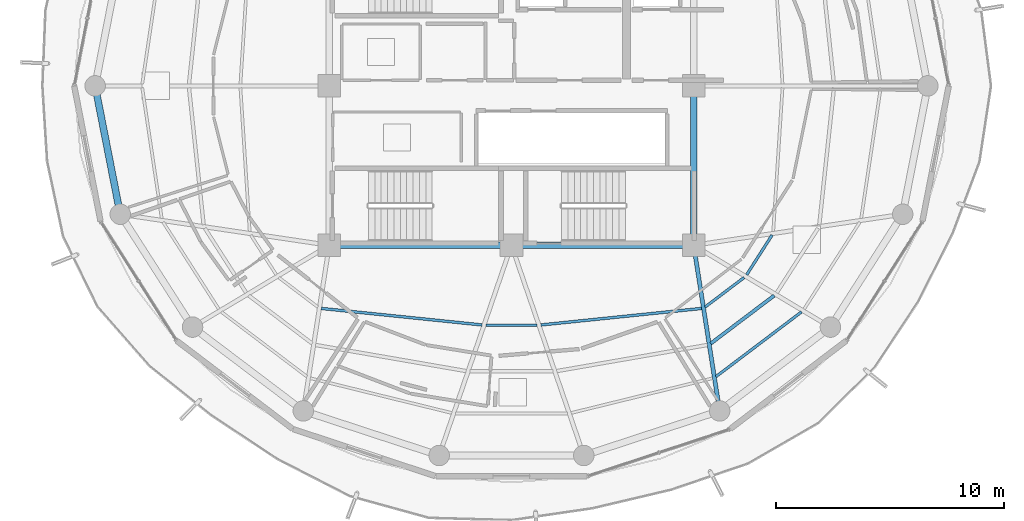
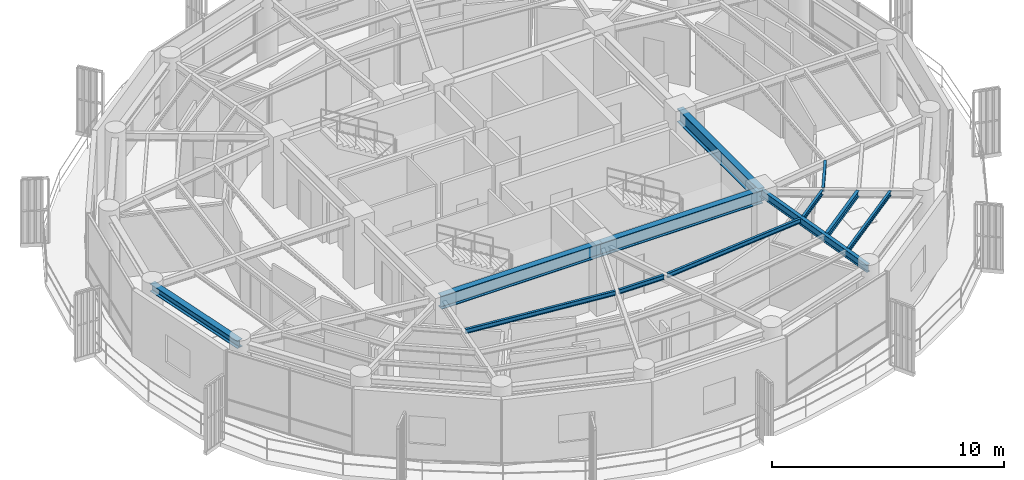
# One storey, part 5 of 23: 12 beams.
"""IFC4 building model written with IfcOpenShell, lengths in metres."""

from ifc_helpers import new_model, si_unit, direction, frame, origin, origin_2d, place, context, subcontext, project, spatial, i_section, extrude, material, material_profile, profile_set, type_object, element, save


model = new_model("IFC4")

# Units and contexts
model_context = context("Model", 3, precision=1e-05, world=origin(), true_north=direction((0.0, 1.0)))
body_context = subcontext(model_context, "Body", "Model", "MODEL_VIEW")
ifc_project = project(units=[si_unit("LENGTHUNIT", "METRE"), si_unit("AREAUNIT", "SQUARE_METRE"), si_unit("VOLUMEUNIT", "CUBIC_METRE"), si_unit("PLANEANGLEUNIT", "RADIAN"), si_unit("MASSUNIT", "GRAM", prefix="KILO")], contexts=[model_context])

# Site, building, storey
site_placement = place(None, origin())
site = spatial("IfcSite", under=ifc_project, at=site_placement, CompositionType="ELEMENT")
building_placement = place(site_placement, origin())
building = spatial("IfcBuilding", under=site, at=building_placement, Name="Kelanora Arch Commons", CompositionType="ELEMENT")
storey_placement = place(building_placement, frame((0.0, 0.0, 278.699951171875)))
storey = spatial("IfcBuildingStorey", under=building, at=storey_placement, Name="L71", CompositionType="ELEMENT", Elevation=278.699951171875)

# Beams
ifc_material = material(Name="Steel S355", Category="steel")
ifc_material_profile_1 = material_profile(ifc_material, i_section(OverallWidth=0.300048828125, OverallDepth=0.699951171875, WebThickness=0.01708984375, FlangeThickness=0.031982421875, FilletRadius=0.027099609375, at=origin_2d()), Name="HEB700")
ifc_profile_set_1 = profile_set([ifc_material_profile_1], Name="Steel S355")
beam_type_1 = type_object("IfcBeamType", Name="BM-CORE-HDR", PredefinedType="BEAM", material=ifc_profile_set_1)
for number, where, z_axis, x_axis, name in (
    (1, (66.0, 51.0, 3.14013671875), (1.0, 0.0, 0.0), (0.0, 1.0, 0.0), "Core Header Beam 01 L71"),
    (2, (74.0, 51.0, 3.14013671875), (1.0, 0.0, 0.0), (0.0, 1.0, 0.0), "Core Header Beam 02 L71"),
):
    element("IfcBeam", number, at=place(storey_placement, frame(where, z_axis=z_axis, x_axis=x_axis)), inside=storey, type_object=beam_type_1, Name=name, PredefinedType="BEAM", context=body_context, shape_type="SweptSolid", body=[
        extrude(i_section(OverallWidth=0.300048828125, OverallDepth=0.699951171875, WebThickness=0.01708984375, FlangeThickness=0.031982421875, FilletRadius=0.027099609375, at=origin_2d()), origin(), (0.0, 0.0, 1.0), 8.0),
    ])
beam_1_placement = place(storey_placement, frame((82.0, 51.0, 3.14013671875), z_axis=(0.0, 1.0, 0.0), x_axis=(-1.0, 0.0, 0.0)))
element("IfcBeam", 3, at=beam_1_placement, inside=storey, type_object=beam_type_1, Name="Core Header Beam 03 L71", PredefinedType="BEAM", context=body_context, shape_type="SweptSolid", body=[
    extrude(i_section(OverallWidth=0.300048828125, OverallDepth=0.699951171875, WebThickness=0.01708984375, FlangeThickness=0.031982421875, FilletRadius=0.027099609375, at=origin_2d()), origin(), (0.0, 0.0, 1.0), 7.0),
])
ifc_material_profile_2 = material_profile(ifc_material, i_section(OverallWidth=0.14990234375, OverallDepth=0.300048828125, WebThickness=0.007080078125, FlangeThickness=0.0107421875, FilletRadius=0.014892578125, at=origin_2d()), Name="IPE300")
ifc_profile_set_2 = profile_set([ifc_material_profile_2], Name="Steel S355")
beam_type_2 = type_object("IfcBeamType", Name="BM-JST-01", PredefinedType="JOIST", material=ifc_profile_set_2)
beam_2_placement = place(storey_placement, frame((82.751708984375, 46.68798828125, 3.340087890625), z_axis=(0.797499198801, 0.603320004568, 0.0), x_axis=(-0.603320004568, 0.797499198801, 0.0)))
element("IfcBeam", 4, at=beam_2_placement, inside=storey, type_object=beam_type_2, Name="Secondary Chord Joist BJB-30 L71", PredefinedType="JOIST", context=body_context, shape_type="SweptSolid", body=[
    extrude(i_section(OverallWidth=0.14990234375, OverallDepth=0.300048828125, WebThickness=0.007080078125, FlangeThickness=0.0107421875, FilletRadius=0.014892578125, at=origin_2d()), origin(), (0.0, 0.0, 1.0), 3.489013671875),
])
ifc_material_profile_3 = material_profile(ifc_material, i_section(OverallWidth=0.1201171875, OverallDepth=0.239990234375, WebThickness=0.006103515625, FlangeThickness=0.009765625, FilletRadius=0.014892578125, at=origin_2d()), Name="IPE240")
ifc_profile_set_3 = profile_set([ifc_material_profile_3], Name="Steel S355")
beam_type_3 = type_object("IfcBeamType", Name="BM-JST-02", PredefinedType="JOIST", material=ifc_profile_set_3)
beam_3_placement = place(storey_placement, frame((65.6513671875, 48.227783203125, 3.3701171875), z_axis=(0.994746545688, -0.102368500239, 0.0), x_axis=(0.102368500239, 0.994746545688, 0.0)))
element("IfcBeam", 5, at=beam_3_placement, inside=storey, type_object=beam_type_3, Name="Secondary Chord Joist BJA-24 L71", PredefinedType="JOIST", context=body_context, shape_type="SweptSolid", body=[
    extrude(i_section(OverallWidth=0.1201171875, OverallDepth=0.239990234375, WebThickness=0.006103515625, FlangeThickness=0.009765625, FilletRadius=0.014892578125, at=origin_2d()), origin(), (0.0, 0.0, 1.0), 7.09521484375),
])
beam_4_placement = place(storey_placement, frame((72.87890625, 47.492919921875, 3.3701171875), z_axis=(1.0, 0.0, 0.0), x_axis=(0.0, 1.0, 0.0)))
element("IfcBeam", 6, at=beam_4_placement, inside=storey, type_object=beam_type_3, Name="Secondary Chord Joist BJA-26 L71", PredefinedType="JOIST", context=body_context, shape_type="SweptSolid", body=[
    extrude(i_section(OverallWidth=0.1201171875, OverallDepth=0.239990234375, WebThickness=0.006103515625, FlangeThickness=0.009765625, FilletRadius=0.014892578125, at=origin_2d()), origin(), (0.0, 0.0, 1.0), 2.2421875),
])
beam_5_placement = place(storey_placement, frame((75.290771484375, 47.50146484375, 3.3701171875), z_axis=(0.994746545688, 0.102368500239, 0.0), x_axis=(-0.102368500239, 0.994746545688, 0.0)))
element("IfcBeam", 7, at=beam_5_placement, inside=storey, type_object=beam_type_3, Name="Secondary Chord Joist BJA-28 L71", PredefinedType="JOIST", context=body_context, shape_type="SweptSolid", body=[
    extrude(i_section(OverallWidth=0.1201171875, OverallDepth=0.239990234375, WebThickness=0.006103515625, FlangeThickness=0.009765625, FilletRadius=0.014892578125, at=origin_2d()), origin(), (0.0, 0.0, 1.0), 7.09521484375),
])
beam_6_placement = place(storey_placement, frame((82.5009765625, 48.287841796875, 3.3701171875), z_axis=(0.797509883882, 0.603305880222, 0.0), x_axis=(-0.603305880222, 0.797509883882, 0.0)))
element("IfcBeam", 8, at=beam_6_placement, inside=storey, type_object=beam_type_3, Name="Secondary Chord Joist BJA-30 L71", PredefinedType="JOIST", context=body_context, shape_type="SweptSolid", body=[
    extrude(i_section(OverallWidth=0.1201171875, OverallDepth=0.239990234375, WebThickness=0.006103515625, FlangeThickness=0.009765625, FilletRadius=0.014892578125, at=origin_2d()), origin(), (0.0, 0.0, 1.0), 2.147216796875),
])
beam_7_placement = place(storey_placement, frame((82.979736328125, 45.233642578125, 3.3701171875), z_axis=(0.79752302984, 0.60328850219, 0.0), x_axis=(-0.60328850219, 0.79752302984, 0.0)))
element("IfcBeam", 9, at=beam_7_placement, inside=storey, type_object=beam_type_3, Name="Secondary Chord Joist BJC-30 L71", PredefinedType="JOIST", context=body_context, shape_type="SweptSolid", body=[
    extrude(i_section(OverallWidth=0.1201171875, OverallDepth=0.239990234375, WebThickness=0.006103515625, FlangeThickness=0.009765625, FilletRadius=0.014892578125, at=origin_2d()), origin(), (0.0, 0.0, 1.0), 4.70849609375),
])
beam_8_placement = place(storey_placement, frame((84.3271484375, 49.706298828125, 3.3701171875), z_axis=(0.539311810315, 0.842106152011, 0.0), x_axis=(-0.842106152011, 0.539311810315, 0.0)))
element("IfcBeam", 10, at=beam_8_placement, inside=storey, type_object=beam_type_3, Name="Secondary Chord Joist BJA-32 L71", PredefinedType="JOIST", context=body_context, shape_type="SweptSolid", body=[
    extrude(i_section(OverallWidth=0.1201171875, OverallDepth=0.239990234375, WebThickness=0.006103515625, FlangeThickness=0.009765625, FilletRadius=0.014892578125, at=origin_2d()), origin(), (0.0, 0.0, 1.0), 2.06640625),
])
ifc_material_profile_4 = material_profile(ifc_material, i_section(OverallWidth=0.179931640625, OverallDepth=0.39990234375, WebThickness=0.008544921875, FlangeThickness=0.013427734375, FilletRadius=0.02099609375, at=origin_2d()), Name="IPE400")
ifc_profile_set_4 = profile_set([ifc_material_profile_4], Name="Steel S355")
beam_type_4 = type_object("IfcBeamType", Name="BM-RAD-Z5", PredefinedType="BEAM", material=ifc_profile_set_4)
beam_9_placement = place(storey_placement, frame((82.0, 51.0, 3.2900390625), z_axis=(0.154855424129, -0.987937142544, 0.0), x_axis=(0.987937142544, 0.154855424129, 0.0)))
element("IfcBeam", 11, at=beam_9_placement, inside=storey, type_object=beam_type_4, Name="Radial Floor Girder BR-30 L71", PredefinedType="BEAM", context=body_context, shape_type="SweptSolid", body=[
    extrude(i_section(OverallWidth=0.179931640625, OverallDepth=0.39990234375, WebThickness=0.008544921875, FlangeThickness=0.013427734375, FilletRadius=0.02099609375, at=origin_2d()), origin(), (0.0, 0.0, 1.0), 7.361083984375),
])
ifc_material_profile_5 = material_profile(ifc_material, i_section(OverallWidth=0.300048828125, OverallDepth=0.39990234375, WebThickness=0.013427734375, FlangeThickness=0.02392578125, FilletRadius=0.027099609375, at=origin_2d()), Name="HEB400")
ifc_profile_set_5 = profile_set([ifc_material_profile_5], Name="Steel S355")
beam_type_5 = type_object("IfcBeamType", Name="BM-SPN-Z4", PredefinedType="SPANDREL", material=ifc_profile_set_5)
beam_10_placement = place(storey_placement, frame((55.719970703125, 58.0, 3.2900390625), z_axis=(0.191969774604, -0.981400838413, 0.0), x_axis=(0.981400838413, 0.191969774604, 0.0)))
element("IfcBeam", 12, at=beam_10_placement, inside=storey, type_object=beam_type_5, Name="Perimeter Spandrel Beam BS-18 L71", PredefinedType="SPANDREL", context=body_context, shape_type="SweptSolid", body=[
    extrude(i_section(OverallWidth=0.300048828125, OverallDepth=0.39990234375, WebThickness=0.013427734375, FlangeThickness=0.02392578125, FilletRadius=0.027099609375, at=origin_2d()), origin(), (0.0, 0.0, 1.0), 5.743408203125),
])

save(model, "model.ifc")
